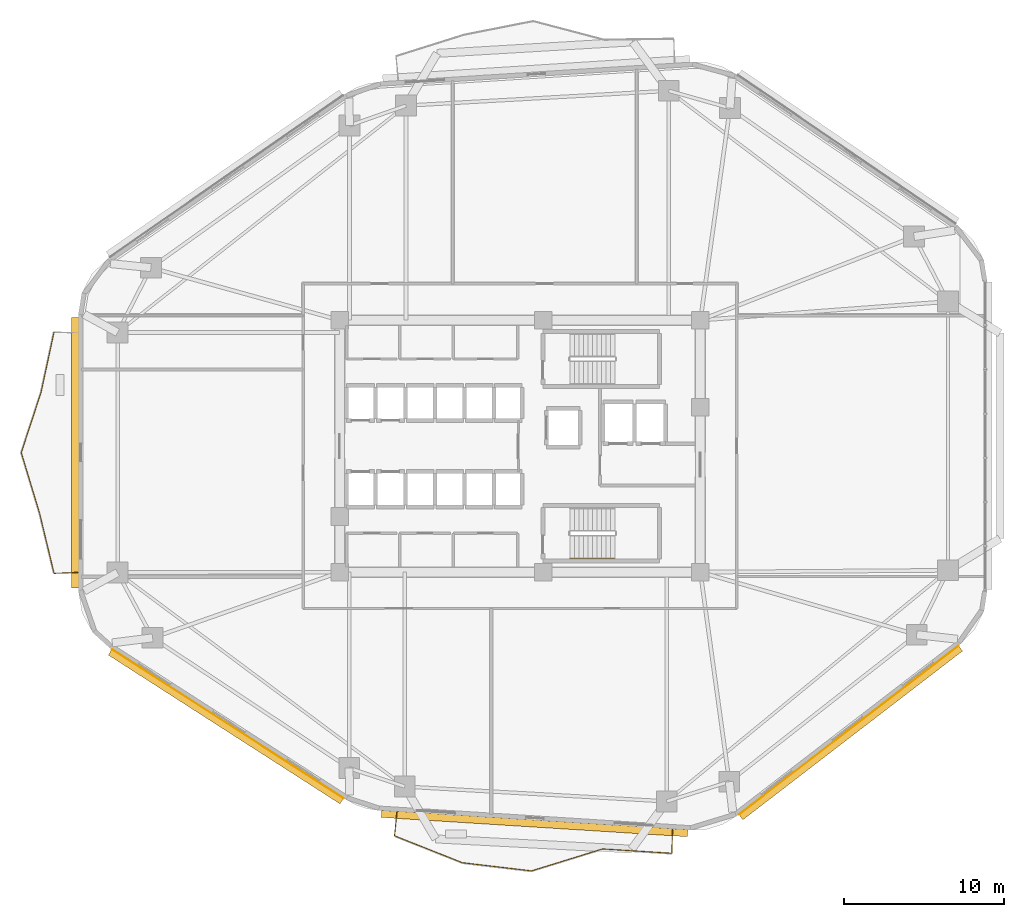
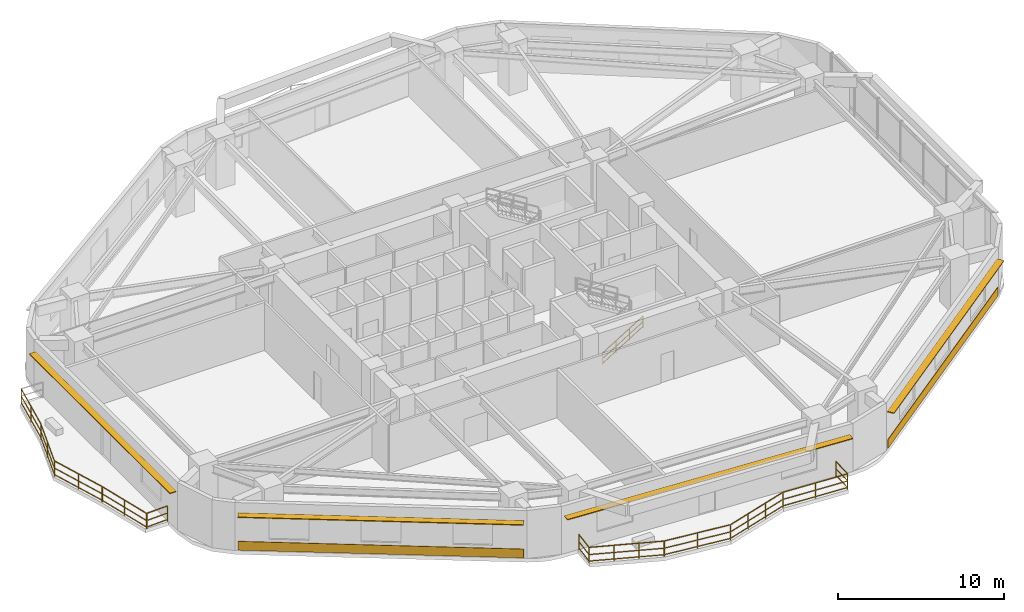
# One storey, part 12 of 14: 12 railings, 4 shading devices, 2 coverings.
"""IFC4 building model written with IfcOpenShell, lengths in metres."""

import ifcopenshell
import ifcopenshell.guid

model = None  # the IFC model being written
_history = None  # IfcOwnerHistory: only IFC2X3 demands one
_inside = {}  # id of a spatial element -> (the spatial element, [elements in it])
_under = {}  # id of a project, library or spatial element -> (it, [spatial elements below it])
_declared = {}  # id of a project -> (the project, [libraries it declares])
_typed = {}  # id of a type object -> (the type object, [elements of that type])
_made_of = {}  # id of a material, layer set ... -> (it, [elements and type objects made of it])


def new_model(schema):
    """Start an empty IFC model of exactly this schema.

    Asked for "IFC4X3", IfcOpenShell would pick the latest addendum, in which some entities
    have other attributes; the version numbers below select the first issue.
    IFC2X3 requires an IfcOwnerHistory on every rooted entity: one is made here for all.
    """
    global model, _history
    if schema == "IFC4X3":
        model = ifcopenshell.file(schema_version=(4, 3, 0, 0))
    else:
        model = ifcopenshell.file(schema=schema)
    _inside.clear()
    _under.clear()
    _declared.clear()
    _typed.clear()
    _made_of.clear()
    _history = None
    if model.schema == "IFC2X3":
        org = make("IfcOrganization", Name="unknown")
        user = make(
            "IfcPersonAndOrganization",
            ThePerson=make("IfcPerson", FamilyName="unknown"),
            TheOrganization=org,
        )
        app = make(
            "IfcApplication",
            ApplicationDeveloper=org,
            Version="unknown",
            ApplicationFullName="unknown",
            ApplicationIdentifier="unknown",
        )
        _history = make(
            "IfcOwnerHistory",
            OwningUser=user,
            OwningApplication=app,
            ChangeAction="ADDED",
            CreationDate=0,
        )
    return model


def make(cls, **values):
    """One entity of the class cls with the attributes given. An attribute that is None is left unset."""
    return model.create_entity(
        cls, **{name: value for name, value in values.items() if value is not None}
    )


def rooted(cls, **values):
    """An entity with a GlobalId (a new one), such as an element, a storey or a relation."""
    return make(cls, GlobalId=ifcopenshell.guid.new(), OwnerHistory=_history, **values)


def si_unit(unit_type, name, prefix=None):
    """IfcSIUnit, for example si_unit("LENGTHUNIT", "METRE", prefix="MILLI")."""
    return make("IfcSIUnit", UnitType=unit_type, Prefix=prefix, Name=name)


def assignment(units):
    """IfcUnitAssignment: the units of a project."""
    return None if units is None else make("IfcUnitAssignment", Units=units)


def point(xyz):
    """IfcCartesianPoint."""
    return None if xyz is None else make("IfcCartesianPoint", Coordinates=xyz)


def direction(xyz):
    """IfcDirection."""
    return None if xyz is None else make("IfcDirection", DirectionRatios=xyz)


def frame(location, z_axis=None, x_axis=None):
    """IfcAxis2Placement3D, a coordinate frame: its origin and axes. An axis left out is left unset."""
    return make(
        "IfcAxis2Placement3D",
        Location=point(location),
        Axis=direction(z_axis),
        RefDirection=direction(x_axis),
    )


def frame_2d(location, x_axis=None):
    """IfcAxis2Placement2D, a coordinate frame in the plane: its origin and x axis."""
    return make(
        "IfcAxis2Placement2D", Location=point(location), RefDirection=direction(x_axis)
    )


def origin():
    """The frame at (0, 0, 0) with its axes left unset."""
    return frame((0.0, 0.0, 0.0))


def origin_2d():
    """The frame at (0, 0) in the plane with its x axis left unset."""
    return frame_2d((0.0, 0.0))


def place(relative_to, where):
    """IfcLocalPlacement: puts the frame where relative to a parent placement (None: the world)."""
    return make(
        "IfcLocalPlacement", PlacementRelTo=relative_to, RelativePlacement=where
    )


def context(
    kind, dimensions, precision=None, world=None, true_north=None, identifier=None
):
    """IfcGeometricRepresentationContext, for example the 3D "Model" context."""
    return make(
        "IfcGeometricRepresentationContext",
        ContextIdentifier=identifier,
        ContextType=kind,
        CoordinateSpaceDimension=dimensions,
        Precision=precision,
        WorldCoordinateSystem=world,
        TrueNorth=true_north,
    )


def subcontext(parent, identifier, kind, view, scale=None):
    """IfcGeometricRepresentationSubContext, for example "Body" below "Model"."""
    return make(
        "IfcGeometricRepresentationSubContext",
        ContextIdentifier=identifier,
        ContextType=kind,
        ParentContext=parent,
        TargetScale=scale,
        TargetView=view,
    )


def project(units=None, contexts=None):
    """IfcProject with its units and contexts."""
    return rooted(
        "IfcProject",
        Name="project",
        RepresentationContexts=contexts,
        UnitsInContext=assignment(units),
    )


def spatial(cls, under=None, at=None, **own):
    """A site, building, storey or space (cls), placed at a placement, below another one or the project."""
    s = rooted(cls, ObjectPlacement=at, **own)
    if under is not None:
        _under.setdefault(under.id(), (under, []))[1].append(s)
    return s


def profile(cls, at=None, kind="AREA", **sizes):
    """A parametric profile (cls). Its sizes go by their IFC names, for example OverallWidth=200.0."""
    return make(cls, ProfileType=kind, Position=at, **sizes)


def rectangle(**sizes):
    """IfcRectangleProfileDef."""
    return profile("IfcRectangleProfileDef", **sizes)


def extrude(swept, where, along, depth):
    """IfcExtrudedAreaSolid: the profile swept, set in the frame where, extruded along a direction by depth."""
    return make(
        "IfcExtrudedAreaSolid",
        SweptArea=swept,
        Position=where,
        ExtrudedDirection=direction(along),
        Depth=depth,
    )


def shape(context_of_items, identifier, shape_type, items):
    """IfcShapeRepresentation: the items that make up one representation, for example the "Body"."""
    return make(
        "IfcShapeRepresentation",
        ContextOfItems=context_of_items,
        RepresentationIdentifier=identifier,
        RepresentationType=shape_type,
        Items=items,
    )


def material(Name=None, Category=None):
    """IfcMaterial."""
    return make("IfcMaterial", Name=Name, Category=Category)


def layer(
    of_material, thickness, ventilated=None, Name=None, Category=None, Priority=None
):
    """IfcMaterialLayer: one layer of a wall or slab, of a material (None: an air gap)."""
    return make(
        "IfcMaterialLayer",
        Material=of_material,
        LayerThickness=thickness,
        IsVentilated=ventilated,
        Name=Name,
        Category=Category,
        Priority=Priority,
    )


def layer_set(layers, Name=None):
    """IfcMaterialLayerSet."""
    return make("IfcMaterialLayerSet", MaterialLayers=layers, LayerSetName=Name)


def made_of(thing, what):
    """Note that an element or type object is made of a material, layer set ...; save() writes the relation."""
    if what is not None:
        _made_of.setdefault(what.id(), (what, []))[1].append(thing)
    return thing


def type_object(cls, material=None, **own):
    """A type object (cls), such as IfcWallType, which elements share."""
    return made_of(rooted(cls, **own), material)


def element(
    cls,
    number,
    at=None,
    inside=None,
    cuts=None,
    type_object=None,
    material=None,
    context=None,
    identifier="Body",
    shape_type=None,
    held_by="IfcProductDefinitionShape",
    body=None,
    shapes=None,
    **own,
):
    """One element of the class cls, such as IfcWall. Its Tag is "e" and its number.

    at: its placement. inside: the storey or other place that contains it. cuts: it is an
    opening in that element (IfcRelVoidsElement). A single representation is given by context,
    identifier, shape_type and body (its items); several are given by shapes. held_by: the class
    of the entity that holds the representations. save() writes the other relations.
    """
    e = rooted(cls, Tag="e%d" % number, ObjectPlacement=at, **own)
    if body is not None:
        shapes = [shape(context, identifier, shape_type, body)]
    if shapes is not None:
        e.Representation = make(held_by, Representations=shapes)
    if inside is not None:
        _inside.setdefault(inside.id(), (inside, []))[1].append(e)
    if cuts is not None:
        rooted(
            "IfcRelVoidsElement", RelatingBuildingElement=cuts, RelatedOpeningElement=e
        )
    if type_object is not None:
        _typed.setdefault(type_object.id(), (type_object, []))[1].append(e)
    return made_of(e, material)


def aggregate(whole, parts):
    """IfcRelAggregates: a whole, such as a stair, and the parts it consists of."""
    return rooted("IfcRelAggregates", RelatingObject=whole, RelatedObjects=parts)


def save(model, path):
    """Write the relations noted so far, then the file.

    IfcRelAggregates (storeys below a building ...), IfcRelContainedInSpatialStructure (elements
    in a storey), IfcRelDefinesByType, IfcRelAssociatesMaterial and IfcRelDeclares: one each for
    every whole, place, type object, material and project.
    """
    for whole, parts in _under.values():
        aggregate(whole, parts)
    for where, things in _inside.values():
        rooted(
            "IfcRelContainedInSpatialStructure",
            RelatedElements=things,
            RelatingStructure=where,
        )
    for kind, things in _typed.values():
        rooted("IfcRelDefinesByType", RelatedObjects=things, RelatingType=kind)
    for what, things in _made_of.values():
        rooted("IfcRelAssociatesMaterial", RelatedObjects=things, RelatingMaterial=what)
    for by, libraries in _declared.values():
        rooted("IfcRelDeclares", RelatingContext=by, RelatedDefinitions=libraries)
    model.write(path)


model = new_model("IFC4")

# Units and contexts
model_context = context("Model", 3, precision=1e-05, world=origin(), true_north=direction((0.0, 1.0)))
body_context = subcontext(model_context, "Body", "Model", "MODEL_VIEW")
ifc_project = project(units=[si_unit("LENGTHUNIT", "METRE"), si_unit("AREAUNIT", "SQUARE_METRE"), si_unit("VOLUMEUNIT", "CUBIC_METRE"), si_unit("PLANEANGLEUNIT", "RADIAN"), si_unit("MASSUNIT", "GRAM", prefix="KILO")], contexts=[model_context])

# Site, building, storey
site_placement = place(None, origin())
site = spatial("IfcSite", under=ifc_project, at=site_placement, CompositionType="ELEMENT")
building_placement = place(site_placement, origin())
building = spatial("IfcBuilding", under=site, at=building_placement, Name="Zulverin Broadcast Headquarters", CompositionType="ELEMENT")
storey_placement = place(building_placement, frame((0.0, 0.0, 40.199951171875)))
storey = spatial("IfcBuildingStorey", under=building, at=storey_placement, Name="L09", CompositionType="ELEMENT", Elevation=40.199951171875)

# Coverings
ifc_material_1 = material(Name="Brushed pale-aluminium rainscreen cladding", Category="aluminium")
ifc_layer_1 = layer(ifc_material_1, 0.0400390625, Name="Brushed pale-aluminium rainscreen cladding", Category="aluminium")
ifc_layer_set_1 = layer_set([ifc_layer_1], Name="Brushed pale-aluminium rainscreen cladding")
covering_type = type_object("IfcCoveringType", Name="COV-CLAD-PALE", PredefinedType="CLADDING", material=ifc_layer_set_1)
covering_1_placement = place(storey_placement, frame((57.542724609375, 7.448974609375, 0.05517578125), z_axis=(0.0, 0.0, 1.0), x_axis=(0.792933468586, 0.609308226102, 0.0)))
element("IfcCovering", 1, at=covering_1_placement, inside=storey, type_object=covering_type, Name="L09 Brushed Pale-Aluminium Spandrel Cladding 2", PredefinedType="CLADDING", context=body_context, shape_type="SweptSolid", body=[
    extrude(rectangle(XDim=17.312744140625, YDim=0.0400390625, at=origin_2d()), origin(), (0.0, 0.0, 1.0), 0.64990234375),
])
covering_2_placement = place(storey_placement, frame((18.732666015625, 7.84130859375, 0.05517578125), z_axis=(0.0, 0.0, 1.0), x_axis=(0.841296678234, -0.540573676007, 0.0)))
element("IfcCovering", 2, at=covering_2_placement, inside=storey, type_object=covering_type, Name="L09 Brushed Pale-Aluminium Spandrel Cladding 8", PredefinedType="CLADDING", context=body_context, shape_type="SweptSolid", body=[
    extrude(rectangle(XDim=17.2119140625, YDim=0.0400390625, at=origin_2d()), origin(), (0.0, 0.0, 1.0), 0.64990234375),
])

# Railings
ifc_material_2 = material(Name="Brushed stainless steel & laminated glass balustrade", Category="steel")
railing_type_1 = type_object("IfcRailingType", Name="RL-GUARD-1150", PredefinedType="GUARDRAIL", material=ifc_material_2)
railing_1_placement = place(storey_placement, frame((7.876708984375, 32.32958984375, 0.0)))
element("IfcRailing", 3, at=railing_1_placement, inside=storey, type_object=railing_type_1, Name="L09 Vertical-Forest Balcony Guardrail BAL_W Segment 02", PredefinedType="GUARDRAIL", context=body_context, shape_type="SweptSolid", body=[
    extrude(rectangle(XDim=0.048095703125, YDim=0.048095703125, at=origin_2d()), frame((0.0, 0.0, 1.1259765625), z_axis=(-0.210225336411, -0.977652958841, 0.0), x_axis=(0.977652958841, -0.210225336411, 0.0)), (0.0, 0.0, 1.0), 3.831298828125),
    extrude(rectangle(XDim=0.0419921875, YDim=0.0419921875, at=origin_2d()), frame((0.0, 0.0, 0.597900390625), z_axis=(-0.210225336411, -0.977652958841, 0.0), x_axis=(0.977652958841, -0.210225336411, 0.0)), (0.0, 0.0, 1.0), 3.831298828125),
    extrude(rectangle(XDim=0.0419921875, YDim=0.0419921875, at=origin_2d()), frame((0.0, 0.0, 0.1201171875), z_axis=(-0.210225336411, -0.977652958841, 0.0), x_axis=(0.977652958841, -0.210225336411, 0.0)), (0.0, 0.0, 1.0), 3.831298828125),
    extrude(rectangle(XDim=0.0419921875, YDim=0.0419921875, at=origin_2d()), origin(), (0.0, 0.0, 1.0), 1.101806640625),
    extrude(rectangle(XDim=0.0419921875, YDim=0.0419921875, at=origin_2d()), frame((-0.40283203125, -1.872802734375, 0.0)), (0.0, 0.0, 1.0), 1.101806640625),
    extrude(rectangle(XDim=0.0419921875, YDim=0.0419921875, at=origin_2d()), frame((-0.805419921875, -3.74560546875, 0.0)), (0.0, 0.0, 1.0), 1.101806640625),
])
railing_2_placement = place(storey_placement, frame((7.063232421875, 28.554931640625, 0.0)))
element("IfcRailing", 4, at=railing_2_placement, inside=storey, type_object=railing_type_1, Name="L09 Vertical-Forest Balcony Guardrail BAL_W Segment 03", PredefinedType="GUARDRAIL", context=body_context, shape_type="SweptSolid", body=[
    extrude(rectangle(XDim=0.048095703125, YDim=0.048095703125, at=origin_2d()), frame((0.0, 0.0, 1.1259765625), z_axis=(-0.311579998623, -0.950219924259, 0.0), x_axis=(0.950219924259, -0.311579998623, 0.0)), (0.0, 0.0, 1.0), 3.94287109375),
    extrude(rectangle(XDim=0.0419921875, YDim=0.0419921875, at=origin_2d()), frame((0.0, 0.0, 0.597900390625), z_axis=(-0.311579998623, -0.950219924259, 0.0), x_axis=(0.950219924259, -0.311579998623, 0.0)), (0.0, 0.0, 1.0), 3.94287109375),
    extrude(rectangle(XDim=0.0419921875, YDim=0.0419921875, at=origin_2d()), frame((0.0, 0.0, 0.1201171875), z_axis=(-0.311579998623, -0.950219924259, 0.0), x_axis=(0.950219924259, -0.311579998623, 0.0)), (0.0, 0.0, 1.0), 3.94287109375),
    extrude(rectangle(XDim=0.0419921875, YDim=0.0419921875, at=origin_2d()), origin(), (0.0, 0.0, 1.0), 1.101806640625),
    extrude(rectangle(XDim=0.0419921875, YDim=0.0419921875, at=origin_2d()), frame((-0.6142578125, -1.873291015625, 0.0)), (0.0, 0.0, 1.0), 1.101806640625),
    extrude(rectangle(XDim=0.0419921875, YDim=0.0419921875, at=origin_2d()), frame((-1.228515625, -3.74658203125, 0.0)), (0.0, 0.0, 1.0), 1.101806640625),
])
railing_3_placement = place(storey_placement, frame((5.834228515625, 24.779541015625, 0.0)))
element("IfcRailing", 5, at=railing_3_placement, inside=storey, type_object=railing_type_1, Name="L09 Vertical-Forest Balcony Guardrail BAL_W Segment 04", PredefinedType="GUARDRAIL", context=body_context, shape_type="SweptSolid", body=[
    extrude(rectangle(XDim=0.048095703125, YDim=0.048095703125, at=origin_2d()), frame((0.0, 0.0, 1.1259765625), z_axis=(0.289378867673, -0.957214642044, 0.0), x_axis=(0.957214642044, 0.289378867673, 0.0)), (0.0, 0.0, 1.0), 3.913818359375),
    extrude(rectangle(XDim=0.0419921875, YDim=0.0419921875, at=origin_2d()), frame((0.0, 0.0, 0.597900390625), z_axis=(0.289378867673, -0.957214642044, 0.0), x_axis=(0.957214642044, 0.289378867673, 0.0)), (0.0, 0.0, 1.0), 3.913818359375),
    extrude(rectangle(XDim=0.0419921875, YDim=0.0419921875, at=origin_2d()), frame((0.0, 0.0, 0.1201171875), z_axis=(0.289378867673, -0.957214642044, 0.0), x_axis=(0.957214642044, 0.289378867673, 0.0)), (0.0, 0.0, 1.0), 3.913818359375),
    extrude(rectangle(XDim=0.0419921875, YDim=0.0419921875, at=origin_2d()), origin(), (0.0, 0.0, 1.0), 1.101806640625),
    extrude(rectangle(XDim=0.0419921875, YDim=0.0419921875, at=origin_2d()), frame((0.56640625, -1.873046875, 0.0)), (0.0, 0.0, 1.0), 1.101806640625),
    extrude(rectangle(XDim=0.0419921875, YDim=0.0419921875, at=origin_2d()), frame((1.132568359375, -3.746337890625, 0.0)), (0.0, 0.0, 1.0), 1.101806640625),
])
railing_4_placement = place(storey_placement, frame((6.974609375, 21.004150390625, 0.0)))
element("IfcRailing", 6, at=railing_4_placement, inside=storey, type_object=railing_type_1, Name="L09 Vertical-Forest Balcony Guardrail BAL_W Segment 05", PredefinedType="GUARDRAIL", context=body_context, shape_type="SweptSolid", body=[
    extrude(rectangle(XDim=0.048095703125, YDim=0.048095703125, at=origin_2d()), frame((0.0, 0.0, 1.1259765625), z_axis=(0.234072694175, -0.972219097653, 0.0), x_axis=(0.972219097653, 0.234072694175, 0.0)), (0.0, 0.0, 1.0), 3.852783203125),
    extrude(rectangle(XDim=0.0419921875, YDim=0.0419921875, at=origin_2d()), frame((0.0, 0.0, 0.597900390625), z_axis=(0.234072694175, -0.972219097653, 0.0), x_axis=(0.972219097653, 0.234072694175, 0.0)), (0.0, 0.0, 1.0), 3.852783203125),
    extrude(rectangle(XDim=0.0419921875, YDim=0.0419921875, at=origin_2d()), frame((0.0, 0.0, 0.1201171875), z_axis=(0.234072694175, -0.972219097653, 0.0), x_axis=(0.972219097653, 0.234072694175, 0.0)), (0.0, 0.0, 1.0), 3.852783203125),
    extrude(rectangle(XDim=0.0419921875, YDim=0.0419921875, at=origin_2d()), origin(), (0.0, 0.0, 1.0), 1.101806640625),
    extrude(rectangle(XDim=0.0419921875, YDim=0.0419921875, at=origin_2d()), frame((0.450927734375, -1.873046875, 0.0)), (0.0, 0.0, 1.0), 1.101806640625),
    extrude(rectangle(XDim=0.0419921875, YDim=0.0419921875, at=origin_2d()), frame((0.90185546875, -3.745849609375, 0.0)), (0.0, 0.0, 1.0), 1.101806640625),
])
railing_5_placement = place(storey_placement, frame((7.89501953125, 17.244140625, 0.0)))
element("IfcRailing", 7, at=railing_5_placement, inside=storey, type_object=railing_type_1, Name="L09 Vertical-Forest Balcony Guardrail BAL_W Segment 06", PredefinedType="GUARDRAIL", context=body_context, shape_type="SweptSolid", body=[
    extrude(rectangle(XDim=0.048095703125, YDim=0.048095703125, at=origin_2d()), frame((0.0, 0.0, 1.1259765625), z_axis=(0.999174410196, 0.040626321628, 0.0), x_axis=(-0.040626321628, 0.999174410196, 0.0)), (0.0, 0.0, 1.0), 1.46630859375),
    extrude(rectangle(XDim=0.0419921875, YDim=0.0419921875, at=origin_2d()), frame((0.0, 0.0, 0.597900390625), z_axis=(0.999174410196, 0.040626321628, 0.0), x_axis=(-0.040626321628, 0.999174410196, 0.0)), (0.0, 0.0, 1.0), 1.46630859375),
    extrude(rectangle(XDim=0.0419921875, YDim=0.0419921875, at=origin_2d()), frame((0.0, 0.0, 0.1201171875), z_axis=(0.999174410196, 0.040626321628, 0.0), x_axis=(-0.040626321628, 0.999174410196, 0.0)), (0.0, 0.0, 1.0), 1.46630859375),
    extrude(rectangle(XDim=0.0419921875, YDim=0.0419921875, at=origin_2d()), origin(), (0.0, 0.0, 1.0), 1.101806640625),
    extrude(rectangle(XDim=0.0419921875, YDim=0.0419921875, at=origin_2d()), frame((1.465087890625, 0.0595703125, 0.0)), (0.0, 0.0, 1.0), 1.101806640625),
])
railing_6_placement = place(storey_placement, frame((29.3076171875, 2.318603515625, 0.0)))
element("IfcRailing", 8, at=railing_6_placement, inside=storey, type_object=railing_type_1, Name="L09 Vertical-Forest Balcony Guardrail BAL_S Segment 01", PredefinedType="GUARDRAIL", context=body_context, shape_type="SweptSolid", body=[
    extrude(rectangle(XDim=0.048095703125, YDim=0.048095703125, at=origin_2d()), frame((0.0, 0.0, 1.1259765625), z_axis=(-0.103228615139, -0.99465765619, 0.0), x_axis=(0.99465765619, -0.103228615139, 0.0)), (0.0, 0.0, 1.0), 1.46630859375),
    extrude(rectangle(XDim=0.0419921875, YDim=0.0419921875, at=origin_2d()), frame((0.0, 0.0, 0.597900390625), z_axis=(-0.103228615139, -0.99465765619, 0.0), x_axis=(0.99465765619, -0.103228615139, 0.0)), (0.0, 0.0, 1.0), 1.46630859375),
    extrude(rectangle(XDim=0.0419921875, YDim=0.0419921875, at=origin_2d()), frame((0.0, 0.0, 0.1201171875), z_axis=(-0.103228615139, -0.99465765619, 0.0), x_axis=(0.99465765619, -0.103228615139, 0.0)), (0.0, 0.0, 1.0), 1.46630859375),
    extrude(rectangle(XDim=0.0419921875, YDim=0.0419921875, at=origin_2d()), origin(), (0.0, 0.0, 1.0), 1.101806640625),
    extrude(rectangle(XDim=0.0419921875, YDim=0.0419921875, at=origin_2d()), frame((-0.1513671875, -1.45849609375, 0.0)), (0.0, 0.0, 1.0), 1.101806640625),
])
railing_7_placement = place(storey_placement, frame((29.16845703125, 0.839599609375, 0.0)))
element("IfcRailing", 9, at=railing_7_placement, inside=storey, type_object=railing_type_1, Name="L09 Vertical-Forest Balcony Guardrail BAL_S Segment 02", PredefinedType="GUARDRAIL", context=body_context, shape_type="SweptSolid", body=[
    extrude(rectangle(XDim=0.048095703125, YDim=0.048095703125, at=origin_2d()), frame((0.0, 0.0, 1.1259765625), z_axis=(0.929703399222, -0.368309095022, 0.0), x_axis=(0.368309095022, 0.929703399222, 0.0)), (0.0, 0.0, 1.0), 4.5380859375),
    extrude(rectangle(XDim=0.0419921875, YDim=0.0419921875, at=origin_2d()), frame((0.0, 0.0, 0.597900390625), z_axis=(0.929703399222, -0.368309095022, 0.0), x_axis=(0.368309095022, 0.929703399222, 0.0)), (0.0, 0.0, 1.0), 4.5380859375),
    extrude(rectangle(XDim=0.0419921875, YDim=0.0419921875, at=origin_2d()), frame((0.0, 0.0, 0.1201171875), z_axis=(0.929703399222, -0.368309095022, 0.0), x_axis=(0.368309095022, 0.929703399222, 0.0)), (0.0, 0.0, 1.0), 4.5380859375),
    extrude(rectangle(XDim=0.0419921875, YDim=0.0419921875, at=origin_2d()), origin(), (0.0, 0.0, 1.0), 1.101806640625),
    extrude(rectangle(XDim=0.0419921875, YDim=0.0419921875, at=origin_2d()), frame((1.40625, -0.55712890625, 0.0)), (0.0, 0.0, 1.0), 1.101806640625),
    extrude(rectangle(XDim=0.0419921875, YDim=0.0419921875, at=origin_2d()), frame((2.812744140625, -1.1142578125, 0.0)), (0.0, 0.0, 1.0), 1.101806640625),
    extrude(rectangle(XDim=0.0419921875, YDim=0.0419921875, at=origin_2d()), frame((4.218994140625, -1.67138671875, 0.0)), (0.0, 0.0, 1.0), 1.101806640625),
])
railing_8_placement = place(storey_placement, frame((33.416259765625, -0.839111328125, 0.0)))
element("IfcRailing", 10, at=railing_8_placement, inside=storey, type_object=railing_type_1, Name="L09 Vertical-Forest Balcony Guardrail BAL_S Segment 03", PredefinedType="GUARDRAIL", context=body_context, shape_type="SweptSolid", body=[
    extrude(rectangle(XDim=0.048095703125, YDim=0.048095703125, at=origin_2d()), frame((0.0, 0.0, 1.1259765625), z_axis=(0.993075962684, -0.117473964519, 0.0), x_axis=(0.117473964519, 0.993075962684, 0.0)), (0.0, 0.0, 1.0), 4.32080078125),
    extrude(rectangle(XDim=0.0419921875, YDim=0.0419921875, at=origin_2d()), frame((0.0, 0.0, 0.597900390625), z_axis=(0.993075962684, -0.117473964519, 0.0), x_axis=(0.117473964519, 0.993075962684, 0.0)), (0.0, 0.0, 1.0), 4.32080078125),
    extrude(rectangle(XDim=0.0419921875, YDim=0.0419921875, at=origin_2d()), frame((0.0, 0.0, 0.1201171875), z_axis=(0.993075962684, -0.117473964519, 0.0), x_axis=(0.117473964519, 0.993075962684, 0.0)), (0.0, 0.0, 1.0), 4.32080078125),
    extrude(rectangle(XDim=0.0419921875, YDim=0.0419921875, at=origin_2d()), origin(), (0.0, 0.0, 1.0), 1.101806640625),
    extrude(rectangle(XDim=0.0419921875, YDim=0.0419921875, at=origin_2d()), frame((2.1455078125, -0.25390625, 0.0)), (0.0, 0.0, 1.0), 1.101806640625),
    extrude(rectangle(XDim=0.0419921875, YDim=0.0419921875, at=origin_2d()), frame((4.290771484375, -0.507568359375, 0.0)), (0.0, 0.0, 1.0), 1.101806640625),
])
railing_9_placement = place(storey_placement, frame((37.736328125, -1.343994140625, 0.0)))
element("IfcRailing", 11, at=railing_9_placement, inside=storey, type_object=railing_type_1, Name="L09 Vertical-Forest Balcony Guardrail BAL_S Segment 04", PredefinedType="GUARDRAIL", context=body_context, shape_type="SweptSolid", body=[
    extrude(rectangle(XDim=0.048095703125, YDim=0.048095703125, at=origin_2d()), frame((0.0, 0.0, 1.1259765625), z_axis=(0.955333175292, 0.295530919173, 0.0), x_axis=(-0.295530919173, 0.955333175292, 0.0)), (0.0, 0.0, 1.0), 4.6171875),
    extrude(rectangle(XDim=0.0419921875, YDim=0.0419921875, at=origin_2d()), frame((0.0, 0.0, 0.597900390625), z_axis=(0.955333175292, 0.295530919173, 0.0), x_axis=(-0.295530919173, 0.955333175292, 0.0)), (0.0, 0.0, 1.0), 4.6171875),
    extrude(rectangle(XDim=0.0419921875, YDim=0.0419921875, at=origin_2d()), frame((0.0, 0.0, 0.1201171875), z_axis=(0.955333175292, 0.295530919173, 0.0), x_axis=(-0.295530919173, 0.955333175292, 0.0)), (0.0, 0.0, 1.0), 4.6171875),
    extrude(rectangle(XDim=0.0419921875, YDim=0.0419921875, at=origin_2d()), origin(), (0.0, 0.0, 1.0), 1.101806640625),
    extrude(rectangle(XDim=0.0419921875, YDim=0.0419921875, at=origin_2d()), frame((1.47021484375, 0.454833984375, 0.0)), (0.0, 0.0, 1.0), 1.101806640625),
    extrude(rectangle(XDim=0.0419921875, YDim=0.0419921875, at=origin_2d()), frame((2.940673828125, 0.90966796875, 0.0)), (0.0, 0.0, 1.0), 1.101806640625),
    extrude(rectangle(XDim=0.0419921875, YDim=0.0419921875, at=origin_2d()), frame((4.410888671875, 1.364501953125, 0.0)), (0.0, 0.0, 1.0), 1.101806640625),
])
railing_10_placement = place(storey_placement, frame((42.176513671875, 0.02392578125, 0.0)))
element("IfcRailing", 12, at=railing_10_placement, inside=storey, type_object=railing_type_1, Name="L09 Vertical-Forest Balcony Guardrail BAL_S Segment 05", PredefinedType="GUARDRAIL", context=body_context, shape_type="SweptSolid", body=[
    extrude(rectangle(XDim=0.048095703125, YDim=0.048095703125, at=origin_2d()), frame((0.0, 0.0, 1.1259765625), z_axis=(0.998014521316, -0.062984245987, 0.0), x_axis=(0.062984245987, 0.998014521316, 0.0)), (0.0, 0.0, 1.0), 4.314208984375),
    extrude(rectangle(XDim=0.0419921875, YDim=0.0419921875, at=origin_2d()), frame((0.0, 0.0, 0.597900390625), z_axis=(0.998014521316, -0.062984245987, 0.0), x_axis=(0.062984245987, 0.998014521316, 0.0)), (0.0, 0.0, 1.0), 4.314208984375),
    extrude(rectangle(XDim=0.0419921875, YDim=0.0419921875, at=origin_2d()), frame((0.0, 0.0, 0.1201171875), z_axis=(0.998014521316, -0.062984245987, 0.0), x_axis=(0.062984245987, 0.998014521316, 0.0)), (0.0, 0.0, 1.0), 4.314208984375),
    extrude(rectangle(XDim=0.0419921875, YDim=0.0419921875, at=origin_2d()), origin(), (0.0, 0.0, 1.0), 1.101806640625),
    extrude(rectangle(XDim=0.0419921875, YDim=0.0419921875, at=origin_2d()), frame((2.15283203125, -0.1357421875, 0.0)), (0.0, 0.0, 1.0), 1.101806640625),
    extrude(rectangle(XDim=0.0419921875, YDim=0.0419921875, at=origin_2d()), frame((4.3056640625, -0.271728515625, 0.0)), (0.0, 0.0, 1.0), 1.101806640625),
])
railing_11_placement = place(storey_placement, frame((46.497314453125, -0.233642578125, 0.0)))
element("IfcRailing", 13, at=railing_11_placement, inside=storey, type_object=railing_type_1, Name="L09 Vertical-Forest Balcony Guardrail BAL_S Segment 06", PredefinedType="GUARDRAIL", context=body_context, shape_type="SweptSolid", body=[
    extrude(rectangle(XDim=0.048095703125, YDim=0.048095703125, at=origin_2d()), frame((0.0, 0.0, 1.1259765625), z_axis=(0.022641987457, 0.999743637341, 0.0), x_axis=(-0.999743637341, 0.022641987457, 0.0)), (0.0, 0.0, 1.0), 1.466552734375),
    extrude(rectangle(XDim=0.0419921875, YDim=0.0419921875, at=origin_2d()), frame((0.0, 0.0, 0.597900390625), z_axis=(0.022641987457, 0.999743637341, 0.0), x_axis=(-0.999743637341, 0.022641987457, 0.0)), (0.0, 0.0, 1.0), 1.466552734375),
    extrude(rectangle(XDim=0.0419921875, YDim=0.0419921875, at=origin_2d()), frame((0.0, 0.0, 0.1201171875), z_axis=(0.022641987457, 0.999743637341, 0.0), x_axis=(-0.999743637341, 0.022641987457, 0.0)), (0.0, 0.0, 1.0), 1.466552734375),
    extrude(rectangle(XDim=0.0419921875, YDim=0.0419921875, at=origin_2d()), origin(), (0.0, 0.0, 1.0), 1.101806640625),
    extrude(rectangle(XDim=0.0419921875, YDim=0.0419921875, at=origin_2d()), frame((0.033203125, 1.466064453125, 0.0)), (0.0, 0.0, 1.0), 1.101806640625),
])
ifc_material_3 = material(Name="Brushed stainless steel 48 mm handrail", Category="steel")
railing_type_2 = type_object("IfcRailingType", Name="RL-ST-HAND", PredefinedType="HANDRAIL", material=ifc_material_3)
railing_12_placement = place(storey_placement, frame((40.1298828125, 18.199951171875, 0.1728515625)))
element("IfcRailing", 14, at=railing_12_placement, inside=storey, type_object=railing_type_2, Name="L09 ST-2 stair handrail 1", PredefinedType="HANDRAIL", context=body_context, shape_type="SweptSolid", body=[
    extrude(rectangle(XDim=0.048095703125, YDim=0.048095703125, at=origin_2d()), frame((0.0, 0.0, 0.8759765625), z_axis=(0.851089632645, 0.0, 0.525020415988), x_axis=(0.0, 1.0, 0.0)), (0.0, 0.0, 1.0), 3.2900390625),
    extrude(rectangle(XDim=0.0419921875, YDim=0.0419921875, at=origin_2d()), frame((0.0, 0.0, 0.468017578125), z_axis=(0.851089632645, 0.0, 0.525020415988), x_axis=(0.0, 1.0, 0.0)), (0.0, 0.0, 1.0), 3.2900390625),
    extrude(rectangle(XDim=0.0419921875, YDim=0.0419921875, at=origin_2d()), frame((0.0, 0.0, 0.1201171875), z_axis=(0.851089632645, 0.0, 0.525020415988), x_axis=(0.0, 1.0, 0.0)), (0.0, 0.0, 1.0), 3.2900390625),
    extrude(rectangle(XDim=0.0419921875, YDim=0.0419921875, at=origin_2d()), origin(), (0.0, 0.0, 1.0), 0.851806640625),
    extrude(rectangle(XDim=0.0419921875, YDim=0.0419921875, at=origin_2d()), frame((0.933349609375, 0.0, 0.57568359375)), (0.0, 0.0, 1.0), 0.851806640625),
    extrude(rectangle(XDim=0.0419921875, YDim=0.0419921875, at=origin_2d()), frame((1.86669921875, 0.0, 1.151611328125)), (0.0, 0.0, 1.0), 0.851806640625),
    extrude(rectangle(XDim=0.0419921875, YDim=0.0419921875, at=origin_2d()), frame((2.800048828125, 0.0, 1.727294921875)), (0.0, 0.0, 1.0), 0.851806640625),
])

# Shading devices
ifc_material_4 = material(Name="Anodized pale-metal aluminium sunshade", Category="aluminium")
ifc_layer_2 = layer(ifc_material_4, 0.06005859375, Name="Anodized pale-metal aluminium sunshade", Category="aluminium")
ifc_layer_set_2 = layer_set([ifc_layer_2], Name="Anodized pale-metal aluminium sunshade")
shading_device_type = type_object("IfcShadingDeviceType", Name="SS-01_PALE_METAL_ALUMINIUM_SUNSHADE", PredefinedType="USERDEFINED", material=ifc_layer_set_2)
shading_device_1_placement = place(storey_placement, frame((37.908935546875, 1.61572265625, 2.7099609375), z_axis=(0.0, 0.0, 1.0), x_axis=(0.998017182581, -0.062942062821, 0.0)))
element("IfcShadingDevice", 15, at=shading_device_1_placement, inside=storey, type_object=shading_device_type, Name="L09 Horizontal Pale-Metal Sunshade Band 1", ObjectType="SUNSHADE", PredefinedType="USERDEFINED", context=body_context, shape_type="SweptSolid", body=[
    extrude(rectangle(XDim=19.177001953125, YDim=0.449951171875, at=origin_2d()), origin(), (0.0, 0.0, 1.0), 0.06005859375),
])
shading_device_2_placement = place(storey_placement, frame((57.658447265625, 7.29833984375, 2.7099609375), z_axis=(0.0, 0.0, 1.0), x_axis=(0.792933468586, 0.609308226102, 0.0)))
element("IfcShadingDevice", 16, at=shading_device_2_placement, inside=storey, type_object=shading_device_type, Name="L09 Horizontal Pale-Metal Sunshade Band 2", ObjectType="SUNSHADE", PredefinedType="USERDEFINED", context=body_context, shape_type="SweptSolid", body=[
    extrude(rectangle(XDim=17.312744140625, YDim=0.449951171875, at=origin_2d()), origin(), (0.0, 0.0, 1.0), 0.06005859375),
])
shading_device_3_placement = place(storey_placement, frame((9.199951171875, 24.7939453125, 2.7099609375), z_axis=(0.0, 0.0, 1.0), x_axis=(0.0, -1.0, 0.0)))
element("IfcShadingDevice", 17, at=shading_device_3_placement, inside=storey, type_object=shading_device_type, Name="L09 Horizontal Pale-Metal Sunshade Band 7", ObjectType="SUNSHADE", PredefinedType="USERDEFINED", context=body_context, shape_type="SweptSolid", body=[
    extrude(rectangle(XDim=16.90087890625, YDim=0.449951171875, at=origin_2d()), origin(), (0.0, 0.0, 1.0), 0.06005859375),
])
shading_device_4_placement = place(storey_placement, frame((18.6298828125, 7.681640625, 2.7099609375), z_axis=(0.0, 0.0, 1.0), x_axis=(0.841296678234, -0.540573676007, 0.0)))
element("IfcShadingDevice", 18, at=shading_device_4_placement, inside=storey, type_object=shading_device_type, Name="L09 Horizontal Pale-Metal Sunshade Band 8", ObjectType="SUNSHADE", PredefinedType="USERDEFINED", context=body_context, shape_type="SweptSolid", body=[
    extrude(rectangle(XDim=17.2119140625, YDim=0.449951171875, at=origin_2d()), origin(), (0.0, 0.0, 1.0), 0.06005859375),
])

save(model, "model.ifc")
